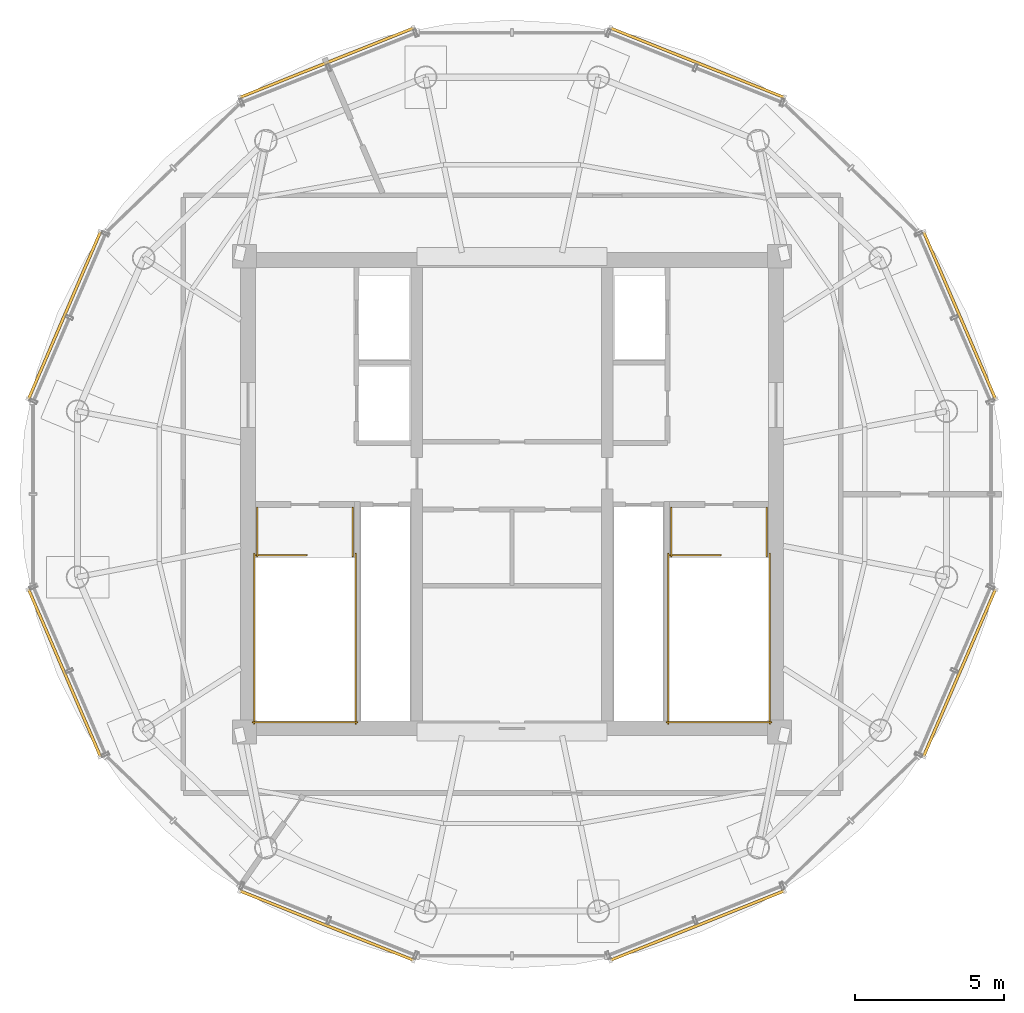
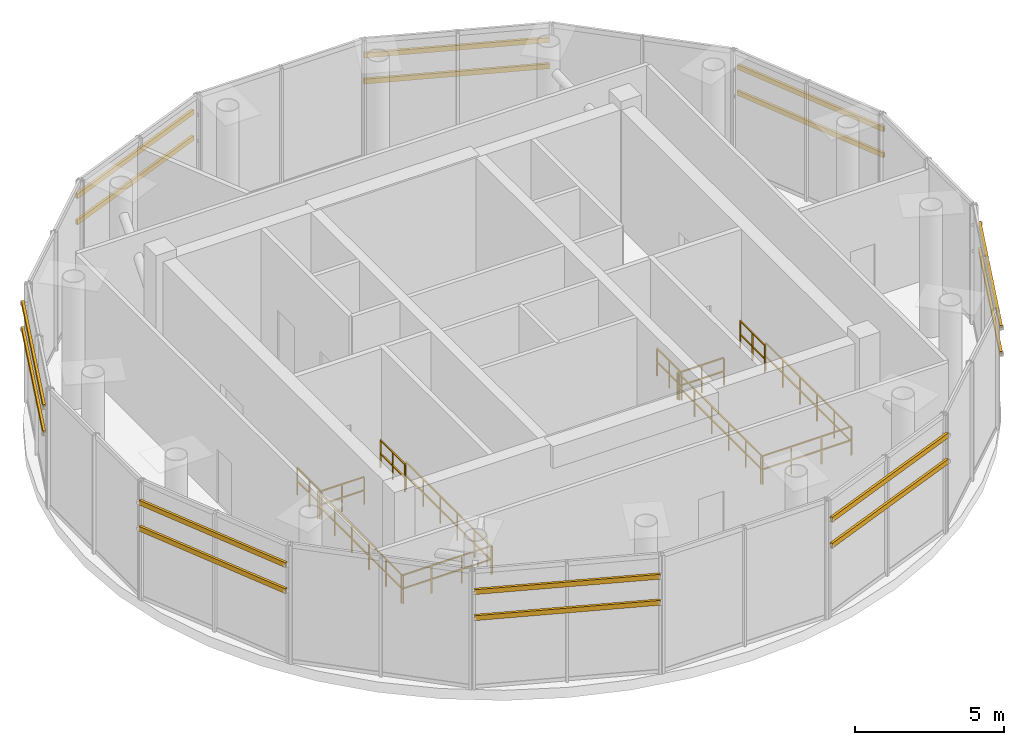
# One storey, part 13 of 13: 16 shading devices, 12 railings.
"""IFC4 building model written with IfcOpenShell, lengths in metres."""

from ifc_helpers import new_model, si_unit, direction, frame, origin, origin_2d, place, context, subcontext, project, spatial, rectangle, hollow_rectangle, extrude, source, transform, mapped, material, material_profile, profile_set, type_object, element, save


model = new_model("IFC4")

# Units and contexts
model_context = context("Model", 3, precision=1e-05, world=origin(), true_north=direction((-0.2419218956, 0.970295726276)))
body_context = subcontext(model_context, "Body", "Model", "MODEL_VIEW")
ifc_project = project(units=[si_unit("LENGTHUNIT", "METRE"), si_unit("AREAUNIT", "SQUARE_METRE"), si_unit("VOLUMEUNIT", "CUBIC_METRE"), si_unit("PLANEANGLEUNIT", "RADIAN"), si_unit("MASSUNIT", "GRAM", prefix="KILO")], contexts=[model_context])

# Site, building, storey
site_placement = place(None, origin())
site = spatial("IfcSite", under=ifc_project, at=site_placement, CompositionType="ELEMENT")
building_placement = place(site_placement, origin())
building = spatial("IfcBuilding", under=site, at=building_placement, Name="Cobrevalo Terracotta Tower", CompositionType="ELEMENT")
storey_placement = place(building_placement, frame((0.0, 0.0, 332.10009765625)))
storey = spatial("IfcBuildingStorey", under=building, at=storey_placement, Name="L85", CompositionType="ELEMENT", Elevation=332.10009765625)

# Railings
ifc_material_1 = material(Name="Painted galvanized steel", Category="steel")
railing_type = type_object("IfcRailingType", Name="Stair Well Guard Balustrade 1150", PredefinedType="GUARDRAIL", material=ifc_material_1)
railing_1_placement = place(storey_placement, frame((29.375, 24.75, 0.0)))
element("IfcRailing", 1, at=railing_1_placement, inside=storey, type_object=railing_type, Name="L85 ST-1 top well guard 1", PredefinedType="GUARDRAIL", context=body_context, shape_type="SweptSolid", body=[
    extrude(rectangle(XDim=0.048095703125, YDim=0.048095703125, at=origin_2d()), frame((0.0, 0.0, 1.1259765625), z_axis=(1.0, 0.0, 0.0), x_axis=(0.0, 1.0, 0.0)), (0.0, 0.0, 1.0), 1.719970703125),
    extrude(rectangle(XDim=0.048095703125, YDim=0.048095703125, at=origin_2d()), frame((0.0, 0.0, 0.574951171875), z_axis=(1.0, 0.0, 0.0), x_axis=(0.0, 1.0, 0.0)), (0.0, 0.0, 1.0), 1.719970703125),
    extrude(rectangle(XDim=0.0419921875, YDim=0.0419921875, at=origin_2d()), origin(), (0.0, 0.0, 1.0), 1.101806640625),
    extrude(rectangle(XDim=0.0419921875, YDim=0.0419921875, at=origin_2d()), frame((0.85986328125, 0.0, 0.0)), (0.0, 0.0, 1.0), 1.101806640625),
    extrude(rectangle(XDim=0.0419921875, YDim=0.0419921875, at=origin_2d()), frame((1.719970703125, 0.0, 0.0)), (0.0, 0.0, 1.0), 1.101806640625),
])
for number, where, name in (
    (2, (29.324951171875, 24.800048828125, 0.0), "L85 ST-1 top well guard 2"),
    (3, (32.7451171875, 24.800048828125, 0.0), "L85 ST-1 top well guard 3"),
):
    element("IfcRailing", number, at=place(storey_placement, frame(where)), inside=storey, type_object=railing_type, Name=name, PredefinedType="GUARDRAIL", context=body_context, shape_type="SweptSolid", body=[
        extrude(rectangle(XDim=0.048095703125, YDim=0.048095703125, at=origin_2d()), frame((0.0, 0.0, 1.1259765625), z_axis=(0.0, -1.0, 0.0), x_axis=(1.0, 0.0, 0.0)), (0.0, 0.0, 1.0), 5.72509765625),
        extrude(rectangle(XDim=0.048095703125, YDim=0.048095703125, at=origin_2d()), frame((0.0, 0.0, 0.574951171875), z_axis=(0.0, -1.0, 0.0), x_axis=(1.0, 0.0, 0.0)), (0.0, 0.0, 1.0), 5.72509765625),
        extrude(rectangle(XDim=0.0419921875, YDim=0.0419921875, at=origin_2d()), origin(), (0.0, 0.0, 1.0), 1.101806640625),
        extrude(rectangle(XDim=0.0419921875, YDim=0.0419921875, at=origin_2d()), frame((0.0, -1.14501953125, 0.0)), (0.0, 0.0, 1.0), 1.101806640625),
        extrude(rectangle(XDim=0.0419921875, YDim=0.0419921875, at=origin_2d()), frame((0.0, -2.2900390625, 0.0)), (0.0, 0.0, 1.0), 1.101806640625),
        extrude(rectangle(XDim=0.0419921875, YDim=0.0419921875, at=origin_2d()), frame((0.0, -3.43505859375, 0.0)), (0.0, 0.0, 1.0), 1.101806640625),
        extrude(rectangle(XDim=0.0419921875, YDim=0.0419921875, at=origin_2d()), frame((0.0, -4.580078125, 0.0)), (0.0, 0.0, 1.0), 1.101806640625),
        extrude(rectangle(XDim=0.0419921875, YDim=0.0419921875, at=origin_2d()), frame((0.0, -5.72509765625, 0.0)), (0.0, 0.0, 1.0), 1.101806640625),
    ])
railing_2_placement = place(storey_placement, frame((29.27490234375, 19.125, 0.0)))
element("IfcRailing", 4, at=railing_2_placement, inside=storey, type_object=railing_type, Name="L85 ST-1 top well guard 4", PredefinedType="GUARDRAIL", context=body_context, shape_type="SweptSolid", body=[
    extrude(rectangle(XDim=0.048095703125, YDim=0.048095703125, at=origin_2d()), frame((0.0, 0.0, 1.1259765625), z_axis=(1.0, 0.0, 0.0), x_axis=(0.0, 1.0, 0.0)), (0.0, 0.0, 1.0), 3.52001953125),
    extrude(rectangle(XDim=0.048095703125, YDim=0.048095703125, at=origin_2d()), frame((0.0, 0.0, 0.574951171875), z_axis=(1.0, 0.0, 0.0), x_axis=(0.0, 1.0, 0.0)), (0.0, 0.0, 1.0), 3.52001953125),
    extrude(rectangle(XDim=0.0419921875, YDim=0.0419921875, at=origin_2d()), origin(), (0.0, 0.0, 1.0), 1.101806640625),
    extrude(rectangle(XDim=0.0419921875, YDim=0.0419921875, at=origin_2d()), frame((1.17333984375, 0.0, 0.0)), (0.0, 0.0, 1.0), 1.101806640625),
    extrude(rectangle(XDim=0.0419921875, YDim=0.0419921875, at=origin_2d()), frame((2.3466796875, 0.0, 0.0)), (0.0, 0.0, 1.0), 1.101806640625),
    extrude(rectangle(XDim=0.0419921875, YDim=0.0419921875, at=origin_2d()), frame((3.52001953125, 0.0, 0.0)), (0.0, 0.0, 1.0), 1.101806640625),
])
for number, where, name in (
    (5, (29.425048828125, 26.35009765625, 0.0), "L85 ST-1 top well guard 5"),
    (6, (32.64501953125, 26.35009765625, 0.0), "L85 ST-1 top well guard 6"),
):
    element("IfcRailing", number, at=place(storey_placement, frame(where)), inside=storey, type_object=railing_type, Name=name, PredefinedType="GUARDRAIL", context=body_context, shape_type="SweptSolid", body=[
        extrude(rectangle(XDim=0.048095703125, YDim=0.048095703125, at=origin_2d()), frame((0.0, 0.0, 1.1259765625), z_axis=(0.0, -1.0, 0.0), x_axis=(1.0, 0.0, 0.0)), (0.0, 0.0, 1.0), 1.650146484375),
        extrude(rectangle(XDim=0.048095703125, YDim=0.048095703125, at=origin_2d()), frame((0.0, 0.0, 0.574951171875), z_axis=(0.0, -1.0, 0.0), x_axis=(1.0, 0.0, 0.0)), (0.0, 0.0, 1.0), 1.650146484375),
        extrude(rectangle(XDim=0.0419921875, YDim=0.0419921875, at=origin_2d()), origin(), (0.0, 0.0, 1.0), 1.101806640625),
        extrude(rectangle(XDim=0.0419921875, YDim=0.0419921875, at=origin_2d()), frame((0.0, -0.8251953125, 0.0)), (0.0, 0.0, 1.0), 1.101806640625),
        extrude(rectangle(XDim=0.0419921875, YDim=0.0419921875, at=origin_2d()), frame((0.0, -1.650146484375, 0.0)), (0.0, 0.0, 1.0), 1.101806640625),
    ])
railing_3_placement = place(storey_placement, frame((43.304931640625, 24.75, 0.0)))
element("IfcRailing", 7, at=railing_3_placement, inside=storey, type_object=railing_type, Name="L85 ST-2 top well guard 1", PredefinedType="GUARDRAIL", context=body_context, shape_type="SweptSolid", body=[
    extrude(rectangle(XDim=0.048095703125, YDim=0.048095703125, at=origin_2d()), frame((0.0, 0.0, 1.1259765625), z_axis=(1.0, 0.0, 0.0), x_axis=(0.0, 1.0, 0.0)), (0.0, 0.0, 1.0), 1.719970703125),
    extrude(rectangle(XDim=0.048095703125, YDim=0.048095703125, at=origin_2d()), frame((0.0, 0.0, 0.574951171875), z_axis=(1.0, 0.0, 0.0), x_axis=(0.0, 1.0, 0.0)), (0.0, 0.0, 1.0), 1.719970703125),
    extrude(rectangle(XDim=0.0419921875, YDim=0.0419921875, at=origin_2d()), origin(), (0.0, 0.0, 1.0), 1.101806640625),
    extrude(rectangle(XDim=0.0419921875, YDim=0.0419921875, at=origin_2d()), frame((0.85986328125, 0.0, 0.0)), (0.0, 0.0, 1.0), 1.101806640625),
    extrude(rectangle(XDim=0.0419921875, YDim=0.0419921875, at=origin_2d()), frame((1.719970703125, 0.0, 0.0)), (0.0, 0.0, 1.0), 1.101806640625),
])
for number, where, name in (
    (8, (43.2548828125, 24.800048828125, 0.0), "L85 ST-2 top well guard 2"),
    (9, (46.675048828125, 24.800048828125, 0.0), "L85 ST-2 top well guard 3"),
):
    element("IfcRailing", number, at=place(storey_placement, frame(where)), inside=storey, type_object=railing_type, Name=name, PredefinedType="GUARDRAIL", context=body_context, shape_type="SweptSolid", body=[
        extrude(rectangle(XDim=0.048095703125, YDim=0.048095703125, at=origin_2d()), frame((0.0, 0.0, 1.1259765625), z_axis=(0.0, -1.0, 0.0), x_axis=(1.0, 0.0, 0.0)), (0.0, 0.0, 1.0), 5.72509765625),
        extrude(rectangle(XDim=0.048095703125, YDim=0.048095703125, at=origin_2d()), frame((0.0, 0.0, 0.574951171875), z_axis=(0.0, -1.0, 0.0), x_axis=(1.0, 0.0, 0.0)), (0.0, 0.0, 1.0), 5.72509765625),
        extrude(rectangle(XDim=0.0419921875, YDim=0.0419921875, at=origin_2d()), origin(), (0.0, 0.0, 1.0), 1.101806640625),
        extrude(rectangle(XDim=0.0419921875, YDim=0.0419921875, at=origin_2d()), frame((0.0, -1.14501953125, 0.0)), (0.0, 0.0, 1.0), 1.101806640625),
        extrude(rectangle(XDim=0.0419921875, YDim=0.0419921875, at=origin_2d()), frame((0.0, -2.2900390625, 0.0)), (0.0, 0.0, 1.0), 1.101806640625),
        extrude(rectangle(XDim=0.0419921875, YDim=0.0419921875, at=origin_2d()), frame((0.0, -3.43505859375, 0.0)), (0.0, 0.0, 1.0), 1.101806640625),
        extrude(rectangle(XDim=0.0419921875, YDim=0.0419921875, at=origin_2d()), frame((0.0, -4.580078125, 0.0)), (0.0, 0.0, 1.0), 1.101806640625),
        extrude(rectangle(XDim=0.0419921875, YDim=0.0419921875, at=origin_2d()), frame((0.0, -5.72509765625, 0.0)), (0.0, 0.0, 1.0), 1.101806640625),
    ])
railing_4_placement = place(storey_placement, frame((43.205078125, 19.125, 0.0)))
element("IfcRailing", 10, at=railing_4_placement, inside=storey, type_object=railing_type, Name="L85 ST-2 top well guard 4", PredefinedType="GUARDRAIL", context=body_context, shape_type="SweptSolid", body=[
    extrude(rectangle(XDim=0.048095703125, YDim=0.048095703125, at=origin_2d()), frame((0.0, 0.0, 1.1259765625), z_axis=(1.0, 0.0, 0.0), x_axis=(0.0, 1.0, 0.0)), (0.0, 0.0, 1.0), 3.52001953125),
    extrude(rectangle(XDim=0.048095703125, YDim=0.048095703125, at=origin_2d()), frame((0.0, 0.0, 0.574951171875), z_axis=(1.0, 0.0, 0.0), x_axis=(0.0, 1.0, 0.0)), (0.0, 0.0, 1.0), 3.52001953125),
    extrude(rectangle(XDim=0.0419921875, YDim=0.0419921875, at=origin_2d()), origin(), (0.0, 0.0, 1.0), 1.101806640625),
    extrude(rectangle(XDim=0.0419921875, YDim=0.0419921875, at=origin_2d()), frame((1.17333984375, 0.0, 0.0)), (0.0, 0.0, 1.0), 1.101806640625),
    extrude(rectangle(XDim=0.0419921875, YDim=0.0419921875, at=origin_2d()), frame((2.3466796875, 0.0, 0.0)), (0.0, 0.0, 1.0), 1.101806640625),
    extrude(rectangle(XDim=0.0419921875, YDim=0.0419921875, at=origin_2d()), frame((3.52001953125, 0.0, 0.0)), (0.0, 0.0, 1.0), 1.101806640625),
])
for number, where, name in (
    (11, (43.35498046875, 26.35009765625, 0.0), "L85 ST-2 top well guard 5"),
    (12, (46.574951171875, 26.35009765625, 0.0), "L85 ST-2 top well guard 6"),
):
    element("IfcRailing", number, at=place(storey_placement, frame(where)), inside=storey, type_object=railing_type, Name=name, PredefinedType="GUARDRAIL", context=body_context, shape_type="SweptSolid", body=[
        extrude(rectangle(XDim=0.048095703125, YDim=0.048095703125, at=origin_2d()), frame((0.0, 0.0, 1.1259765625), z_axis=(0.0, -1.0, 0.0), x_axis=(1.0, 0.0, 0.0)), (0.0, 0.0, 1.0), 1.650146484375),
        extrude(rectangle(XDim=0.048095703125, YDim=0.048095703125, at=origin_2d()), frame((0.0, 0.0, 0.574951171875), z_axis=(0.0, -1.0, 0.0), x_axis=(1.0, 0.0, 0.0)), (0.0, 0.0, 1.0), 1.650146484375),
        extrude(rectangle(XDim=0.0419921875, YDim=0.0419921875, at=origin_2d()), origin(), (0.0, 0.0, 1.0), 1.101806640625),
        extrude(rectangle(XDim=0.0419921875, YDim=0.0419921875, at=origin_2d()), frame((0.0, -0.8251953125, 0.0)), (0.0, 0.0, 1.0), 1.101806640625),
        extrude(rectangle(XDim=0.0419921875, YDim=0.0419921875, at=origin_2d()), frame((0.0, -1.650146484375, 0.0)), (0.0, 0.0, 1.0), 1.101806640625),
    ])

# Shading devices
ifc_material_2 = material(Name="Extruded fired architectural terracotta", Category="masonry")
ifc_material_profile = material_profile(ifc_material_2, hollow_rectangle(XDim=0.094970703125, YDim=0.199951171875, WallThickness=0.01611328125, at=origin_2d()), Name="BAGUETTE 95x200")
ifc_profile_set = profile_set([ifc_material_profile], Name="Extruded fired architectural terracotta")
shading_device_type = type_object("IfcShadingDeviceType", Name="Upper-Zone Terracotta Baguette Screen 95x200", PredefinedType="USERDEFINED", material=ifc_profile_set)
shared_shape_1 = source(origin(), body_context, "Body", "SweptSolid", [
    extrude(hollow_rectangle(XDim=0.094970703125, YDim=0.199951171875, WallThickness=0.01611328125, at=origin_2d()), origin(), (0.0, 0.0, 1.0), 6.13134765625),
])
for number, where, z_axis, x_axis, name in (
    (13, (54.263916015625, 29.99609375, 3.0068359375), (-0.394961883587, 0.918697507623, 0.0), (-0.918697507623, -0.394961883587, 0.0), "CW-CRN-L85-S01 horizontal terracotta baguette 1"),
    (14, (54.263916015625, 29.99609375, 4.073974609375), (-0.394961883587, 0.918697507623, 0.0), (-0.918697507623, -0.394961883587, 0.0), "CW-CRN-L85-S01 horizontal terracotta baguette 2"),
    (15, (24.15771484375, 35.62890625, 3.0068359375), (-0.394961883587, -0.918697507623, 0.0), (0.918697507623, -0.394961883587, 0.0), "CW-CRN-L85-S07 horizontal terracotta baguette 1"),
    (16, (24.15771484375, 35.62890625, 4.073974609375), (-0.394961883587, -0.918697507623, 0.0), (0.918697507623, -0.394961883587, 0.0), "CW-CRN-L85-S07 horizontal terracotta baguette 2"),
    (17, (21.736083984375, 23.603759765625, 3.0068359375), (0.394961883587, -0.918697507623, 0.0), (0.918697507623, 0.394961883587, 0.0), "CW-CRN-L85-S09 horizontal terracotta baguette 1"),
    (18, (21.736083984375, 23.603759765625, 4.073974609375), (0.394961883587, -0.918697507623, 0.0), (0.918697507623, 0.394961883587, 0.0), "CW-CRN-L85-S09 horizontal terracotta baguette 2"),
    (19, (51.84228515625, 17.970947265625, 3.0068359375), (0.394961883587, 0.918697507623, 0.0), (-0.918697507623, 0.394961883587, 0.0), "CW-CRN-L85-S15 horizontal terracotta baguette 1"),
    (20, (51.84228515625, 17.970947265625, 4.073974609375), (0.394961883587, 0.918697507623, 0.0), (-0.918697507623, 0.394961883587, 0.0), "CW-CRN-L85-S15 horizontal terracotta baguette 2"),
):
    element("IfcShadingDevice", number, at=place(storey_placement, frame(where, z_axis=z_axis, x_axis=x_axis)), inside=storey, type_object=shading_device_type, Name=name, ObjectType="BAGUETTE", PredefinedType="USERDEFINED", context=body_context, shape_type="MappedRepresentation", body=[
        mapped(shared_shape_1, transform((0.0, 0.0, 0.0), scale=1.0)),
    ])
shared_shape_2 = source(origin(), body_context, "Body", "SweptSolid", [
    extrude(hollow_rectangle(XDim=0.094970703125, YDim=0.199951171875, WallThickness=0.01611328125, at=origin_2d()), origin(), (0.0, 0.0, 1.0), 6.296875),
])
for number, where, z_axis, x_axis, name in (
    (21, (47.157470703125, 40.144287109375, 3.0068359375), (-0.928770528093, 0.37065523893, 0.0), (-0.37065523893, -0.928770528093, 0.0), "CW-CRN-L85-S03 horizontal terracotta baguette 1"),
    (22, (47.157470703125, 40.144287109375, 4.073974609375), (-0.928770528093, 0.37065523893, 0.0), (-0.37065523893, -0.928770528093, 0.0), "CW-CRN-L85-S03 horizontal terracotta baguette 2"),
    (23, (34.69091796875, 42.478271484375, 3.0068359375), (-0.928770528093, -0.37065523893, 0.0), (0.37065523893, -0.928770528093, 0.0), "CW-CRN-L85-S05 horizontal terracotta baguette 1"),
    (24, (34.69091796875, 42.478271484375, 4.073974609375), (-0.928770528093, -0.37065523893, 0.0), (0.37065523893, -0.928770528093, 0.0), "CW-CRN-L85-S05 horizontal terracotta baguette 2"),
    (25, (28.842529296875, 13.455810546875, 3.0068359375), (0.928770528093, -0.37065523893, 0.0), (0.37065523893, 0.928770528093, 0.0), "CW-CRN-L85-S11 horizontal terracotta baguette 1"),
    (26, (28.842529296875, 13.455810546875, 4.073974609375), (0.928770528093, -0.37065523893, 0.0), (0.37065523893, 0.928770528093, 0.0), "CW-CRN-L85-S11 horizontal terracotta baguette 2"),
    (27, (41.30908203125, 11.121826171875, 3.0068359375), (0.928770528093, 0.37065523893, 0.0), (-0.37065523893, 0.928770528093, 0.0), "CW-CRN-L85-S13 horizontal terracotta baguette 1"),
    (28, (41.30908203125, 11.121826171875, 4.073974609375), (0.928770528093, 0.37065523893, 0.0), (-0.37065523893, 0.928770528093, 0.0), "CW-CRN-L85-S13 horizontal terracotta baguette 2"),
):
    element("IfcShadingDevice", number, at=place(storey_placement, frame(where, z_axis=z_axis, x_axis=x_axis)), inside=storey, type_object=shading_device_type, Name=name, ObjectType="BAGUETTE", PredefinedType="USERDEFINED", context=body_context, shape_type="MappedRepresentation", body=[
        mapped(shared_shape_2, transform((0.0, 0.0, 0.0), scale=1.0)),
    ])

save(model, "model.ifc")
